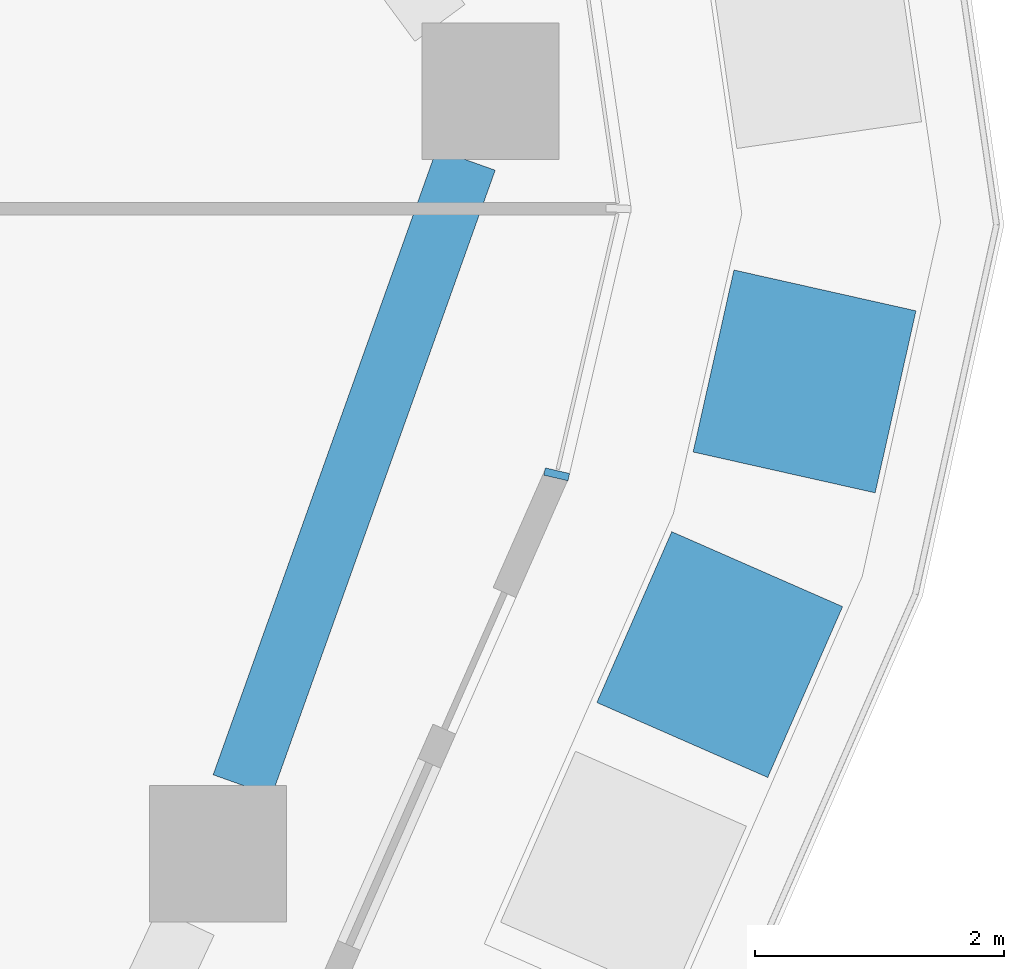
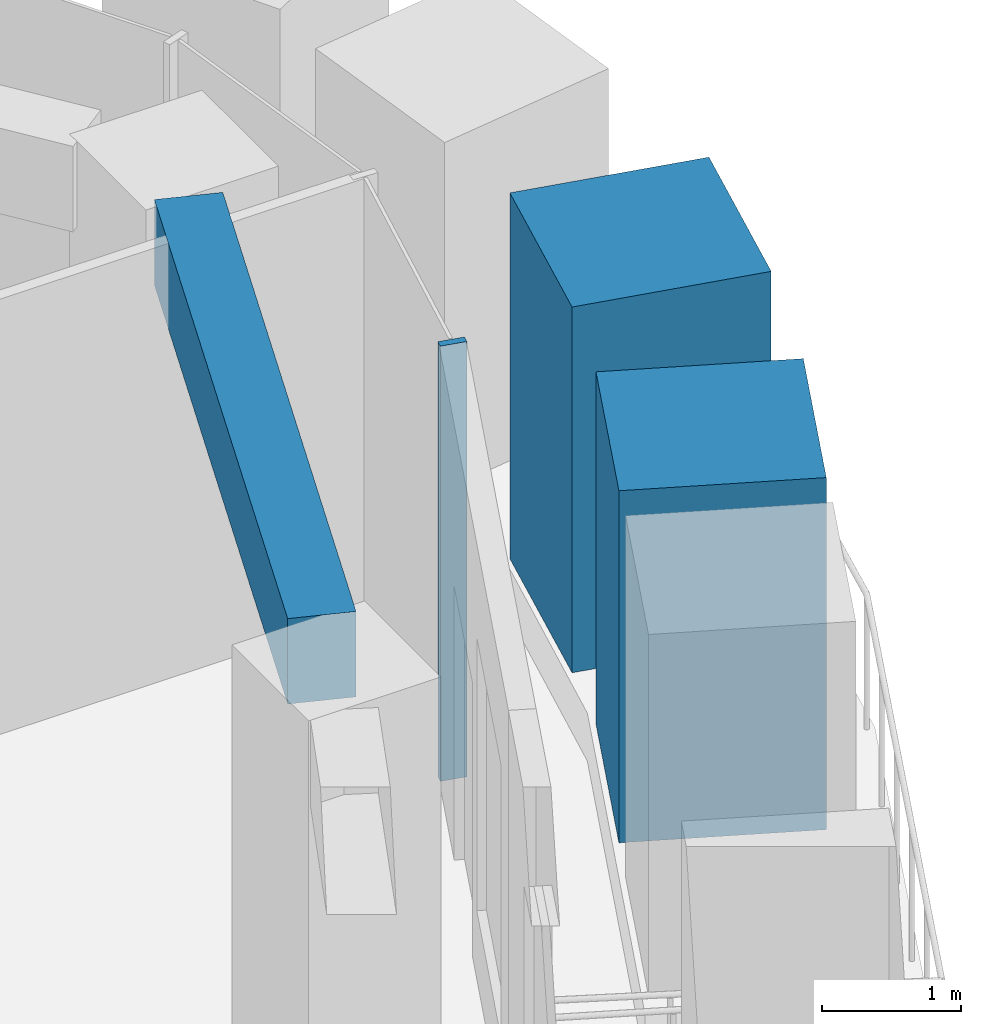
# One storey, part 6 of 21: 3 members, 1 beam, 1 element without a shape of its own.
"""IFC4 building model written with IfcOpenShell, lengths in metres."""

import ifcopenshell
import ifcopenshell.guid

model = None  # the IFC model being written
_history = None  # IfcOwnerHistory: only IFC2X3 demands one
_inside = {}  # id of a spatial element -> (the spatial element, [elements in it])
_under = {}  # id of a project, library or spatial element -> (it, [spatial elements below it])
_declared = {}  # id of a project -> (the project, [libraries it declares])
_typed = {}  # id of a type object -> (the type object, [elements of that type])
_made_of = {}  # id of a material, layer set ... -> (it, [elements and type objects made of it])


def new_model(schema):
    """Start an empty IFC model of exactly this schema.

    Asked for "IFC4X3", IfcOpenShell would pick the latest addendum, in which some entities
    have other attributes; the version numbers below select the first issue.
    IFC2X3 requires an IfcOwnerHistory on every rooted entity: one is made here for all.
    """
    global model, _history
    if schema == "IFC4X3":
        model = ifcopenshell.file(schema_version=(4, 3, 0, 0))
    else:
        model = ifcopenshell.file(schema=schema)
    _inside.clear()
    _under.clear()
    _declared.clear()
    _typed.clear()
    _made_of.clear()
    _history = None
    if model.schema == "IFC2X3":
        org = make("IfcOrganization", Name="unknown")
        user = make(
            "IfcPersonAndOrganization",
            ThePerson=make("IfcPerson", FamilyName="unknown"),
            TheOrganization=org,
        )
        app = make(
            "IfcApplication",
            ApplicationDeveloper=org,
            Version="unknown",
            ApplicationFullName="unknown",
            ApplicationIdentifier="unknown",
        )
        _history = make(
            "IfcOwnerHistory",
            OwningUser=user,
            OwningApplication=app,
            ChangeAction="ADDED",
            CreationDate=0,
        )
    return model


def make(cls, **values):
    """One entity of the class cls with the attributes given. An attribute that is None is left unset."""
    return model.create_entity(
        cls, **{name: value for name, value in values.items() if value is not None}
    )


def rooted(cls, **values):
    """An entity with a GlobalId (a new one), such as an element, a storey or a relation."""
    return make(cls, GlobalId=ifcopenshell.guid.new(), OwnerHistory=_history, **values)


def si_unit(unit_type, name, prefix=None):
    """IfcSIUnit, for example si_unit("LENGTHUNIT", "METRE", prefix="MILLI")."""
    return make("IfcSIUnit", UnitType=unit_type, Prefix=prefix, Name=name)


def assignment(units):
    """IfcUnitAssignment: the units of a project."""
    return None if units is None else make("IfcUnitAssignment", Units=units)


def point(xyz):
    """IfcCartesianPoint."""
    return None if xyz is None else make("IfcCartesianPoint", Coordinates=xyz)


def direction(xyz):
    """IfcDirection."""
    return None if xyz is None else make("IfcDirection", DirectionRatios=xyz)


def frame(location, z_axis=None, x_axis=None):
    """IfcAxis2Placement3D, a coordinate frame: its origin and axes. An axis left out is left unset."""
    return make(
        "IfcAxis2Placement3D",
        Location=point(location),
        Axis=direction(z_axis),
        RefDirection=direction(x_axis),
    )


def frame_2d(location, x_axis=None):
    """IfcAxis2Placement2D, a coordinate frame in the plane: its origin and x axis."""
    return make(
        "IfcAxis2Placement2D", Location=point(location), RefDirection=direction(x_axis)
    )


def origin():
    """The frame at (0, 0, 0) with its axes left unset."""
    return frame((0.0, 0.0, 0.0))


def origin_2d():
    """The frame at (0, 0) in the plane with its x axis left unset."""
    return frame_2d((0.0, 0.0))


def place(relative_to, where):
    """IfcLocalPlacement: puts the frame where relative to a parent placement (None: the world)."""
    return make(
        "IfcLocalPlacement", PlacementRelTo=relative_to, RelativePlacement=where
    )


def context(
    kind, dimensions, precision=None, world=None, true_north=None, identifier=None
):
    """IfcGeometricRepresentationContext, for example the 3D "Model" context."""
    return make(
        "IfcGeometricRepresentationContext",
        ContextIdentifier=identifier,
        ContextType=kind,
        CoordinateSpaceDimension=dimensions,
        Precision=precision,
        WorldCoordinateSystem=world,
        TrueNorth=true_north,
    )


def subcontext(parent, identifier, kind, view, scale=None):
    """IfcGeometricRepresentationSubContext, for example "Body" below "Model"."""
    return make(
        "IfcGeometricRepresentationSubContext",
        ContextIdentifier=identifier,
        ContextType=kind,
        ParentContext=parent,
        TargetScale=scale,
        TargetView=view,
    )


def project(units=None, contexts=None):
    """IfcProject with its units and contexts."""
    return rooted(
        "IfcProject",
        Name="project",
        RepresentationContexts=contexts,
        UnitsInContext=assignment(units),
    )


def spatial(cls, under=None, at=None, **own):
    """A site, building, storey or space (cls), placed at a placement, below another one or the project."""
    s = rooted(cls, ObjectPlacement=at, **own)
    if under is not None:
        _under.setdefault(under.id(), (under, []))[1].append(s)
    return s


def profile(cls, at=None, kind="AREA", **sizes):
    """A parametric profile (cls). Its sizes go by their IFC names, for example OverallWidth=200.0."""
    return make(cls, ProfileType=kind, Position=at, **sizes)


def rectangle(**sizes):
    """IfcRectangleProfileDef."""
    return profile("IfcRectangleProfileDef", **sizes)


def extrude(swept, where, along, depth):
    """IfcExtrudedAreaSolid: the profile swept, set in the frame where, extruded along a direction by depth."""
    return make(
        "IfcExtrudedAreaSolid",
        SweptArea=swept,
        Position=where,
        ExtrudedDirection=direction(along),
        Depth=depth,
    )


def shape(context_of_items, identifier, shape_type, items):
    """IfcShapeRepresentation: the items that make up one representation, for example the "Body"."""
    return make(
        "IfcShapeRepresentation",
        ContextOfItems=context_of_items,
        RepresentationIdentifier=identifier,
        RepresentationType=shape_type,
        Items=items,
    )


def material(Name=None, Category=None):
    """IfcMaterial."""
    return make("IfcMaterial", Name=Name, Category=Category)


def layer(
    of_material, thickness, ventilated=None, Name=None, Category=None, Priority=None
):
    """IfcMaterialLayer: one layer of a wall or slab, of a material (None: an air gap)."""
    return make(
        "IfcMaterialLayer",
        Material=of_material,
        LayerThickness=thickness,
        IsVentilated=ventilated,
        Name=Name,
        Category=Category,
        Priority=Priority,
    )


def layer_set(layers, Name=None):
    """IfcMaterialLayerSet."""
    return make("IfcMaterialLayerSet", MaterialLayers=layers, LayerSetName=Name)


def material_profile(
    of_material, cross_section, Name=None, Category=None, Priority=None
):
    """IfcMaterialProfile: a cross section and its material."""
    return make(
        "IfcMaterialProfile",
        Name=Name,
        Material=of_material,
        Profile=cross_section,
        Priority=Priority,
        Category=Category,
    )


def profile_set(profiles, Name=None, composite=None):
    """IfcMaterialProfileSet."""
    return make(
        "IfcMaterialProfileSet",
        Name=Name,
        MaterialProfiles=profiles,
        CompositeProfile=composite,
    )


def made_of(thing, what):
    """Note that an element or type object is made of a material, layer set ...; save() writes the relation."""
    if what is not None:
        _made_of.setdefault(what.id(), (what, []))[1].append(thing)
    return thing


def type_object(cls, material=None, **own):
    """A type object (cls), such as IfcWallType, which elements share."""
    return made_of(rooted(cls, **own), material)


def element(
    cls,
    number,
    at=None,
    inside=None,
    cuts=None,
    type_object=None,
    material=None,
    context=None,
    identifier="Body",
    shape_type=None,
    held_by="IfcProductDefinitionShape",
    body=None,
    shapes=None,
    **own,
):
    """One element of the class cls, such as IfcWall. Its Tag is "e" and its number.

    at: its placement. inside: the storey or other place that contains it. cuts: it is an
    opening in that element (IfcRelVoidsElement). A single representation is given by context,
    identifier, shape_type and body (its items); several are given by shapes. held_by: the class
    of the entity that holds the representations. save() writes the other relations.
    """
    e = rooted(cls, Tag="e%d" % number, ObjectPlacement=at, **own)
    if body is not None:
        shapes = [shape(context, identifier, shape_type, body)]
    if shapes is not None:
        e.Representation = make(held_by, Representations=shapes)
    if inside is not None:
        _inside.setdefault(inside.id(), (inside, []))[1].append(e)
    if cuts is not None:
        rooted(
            "IfcRelVoidsElement", RelatingBuildingElement=cuts, RelatedOpeningElement=e
        )
    if type_object is not None:
        _typed.setdefault(type_object.id(), (type_object, []))[1].append(e)
    return made_of(e, material)


def aggregate(whole, parts):
    """IfcRelAggregates: a whole, such as a stair, and the parts it consists of."""
    return rooted("IfcRelAggregates", RelatingObject=whole, RelatedObjects=parts)


def save(model, path):
    """Write the relations noted so far, then the file.

    IfcRelAggregates (storeys below a building ...), IfcRelContainedInSpatialStructure (elements
    in a storey), IfcRelDefinesByType, IfcRelAssociatesMaterial and IfcRelDeclares: one each for
    every whole, place, type object, material and project.
    """
    for whole, parts in _under.values():
        aggregate(whole, parts)
    for where, things in _inside.values():
        rooted(
            "IfcRelContainedInSpatialStructure",
            RelatedElements=things,
            RelatingStructure=where,
        )
    for kind, things in _typed.values():
        rooted("IfcRelDefinesByType", RelatedObjects=things, RelatingType=kind)
    for what, things in _made_of.values():
        rooted("IfcRelAssociatesMaterial", RelatedObjects=things, RelatingMaterial=what)
    for by, libraries in _declared.values():
        rooted("IfcRelDeclares", RelatingContext=by, RelatedDefinitions=libraries)
    model.write(path)


model = new_model("IFC4")

# Units and contexts
model_context = context("Model", 3, precision=1e-05, world=origin(), true_north=direction((0.0, 1.0)))
body_context = subcontext(model_context, "Body", "Model", "MODEL_VIEW")
ifc_project = project(units=[si_unit("LENGTHUNIT", "METRE"), si_unit("AREAUNIT", "SQUARE_METRE"), si_unit("VOLUMEUNIT", "CUBIC_METRE"), si_unit("PLANEANGLEUNIT", "RADIAN"), si_unit("MASSUNIT", "GRAM", prefix="KILO")], contexts=[model_context])

# Site, building, storey
site_placement = place(None, origin())
site = spatial("IfcSite", under=ifc_project, at=site_placement, CompositionType="ELEMENT")
building_placement = place(site_placement, origin())
building = spatial("IfcBuilding", under=site, at=building_placement, Name="Dongbaek Canopy Tower", CompositionType="ELEMENT")
storey_placement = place(building_placement, frame((0.0, 0.0, 270.60009765625)))
storey = spatial("IfcBuildingStorey", under=building, at=storey_placement, Name="L57", CompositionType="ELEMENT", Elevation=270.60009765625)

# Curtain wall, member
ifc_material_1 = material(Name="Aluminium 6063-T6 pale anodised", Category="aluminium")
ifc_layer = layer(ifc_material_1, 0.199951171875)
ifc_layer_set = layer_set([ifc_layer], Name="CW-1 unitised tower curtain wall")
curtain_wall_type = type_object("IfcCurtainWallType", Name="CW-1 unitised tower curtain wall", PredefinedType="NOTDEFINED", material=ifc_layer_set)
curtain_wall_placement = place(storey_placement, origin())
curtain_wall = element("IfcCurtainWall", 1, at=curtain_wall_placement, inside=storey, type_object=curtain_wall_type, Name="CW-1 curtain wall K0.1", PredefinedType="NOTDEFINED")
ifc_material_2 = material(Name="Aluminium 6063-T6 pale anodised", Category="aluminium")
ifc_material_profile_1 = material_profile(ifc_material_2, rectangle(XDim=0.199951171875, YDim=0.06005859375, at=origin_2d()), Name="CW-1 mullion 60 x 200")
ifc_profile_set_1 = profile_set([ifc_material_profile_1], Name="Aluminium 6063-T6 pale anodised")
member_type_1 = type_object("IfcMemberType", Name="CW-1 mullion 60 x 200", PredefinedType="MULLION", material=ifc_profile_set_1)
member_1_placement = place(storey_placement, frame((28.02490234375, 2.897705078125, 0.0), z_axis=(0.0, 0.0, 1.0), x_axis=(0.973926758053, -0.226862667596, 0.0)))
member_1 = element("IfcMember", 2, at=member_1_placement, type_object=member_type_1, Name="CW-1 mullion K0.1.1", PredefinedType="MULLION", context=body_context, shape_type="SweptSolid", body=[
    extrude(rectangle(XDim=0.199951171875, YDim=0.06005859375, at=origin_2d()), origin(), (0.0, 0.0, 1.0), 3.81982421875),
])
aggregate(curtain_wall, [member_1])

# Beam
ifc_material_3 = material(Name="Concrete C70", Category="concrete")
ifc_material_profile_2 = material_profile(ifc_material_3, rectangle(XDim=0.5, YDim=0.75, at=origin_2d()), Name="RC EDGE BEAM 500x750 C70")
ifc_profile_set_2 = profile_set([ifc_material_profile_2], Name="Concrete C70")
beam_type = type_object("IfcBeamType", Name="RC EDGE BEAM 500x750 C70", PredefinedType="BEAM", material=ifc_profile_set_2)
beam_placement = place(storey_placement, frame((27.29541015625, 5.427001953125, 3.44482421875), z_axis=(-0.336466714227, -0.94169535956, 0.0), x_axis=(0.94169535956, -0.336466714227, 0.0)))
element("IfcBeam", 3, at=beam_placement, inside=storey, type_object=beam_type, Name="EDGEBEAM:L57:21", PredefinedType="BEAM", context=body_context, shape_type="SweptSolid", body=[
    extrude(rectangle(XDim=0.5, YDim=0.75, at=origin_2d()), origin(), (0.0, 0.0, 1.0), 5.34033203125),
])

# Members
ifc_material_4 = material(Name="Concrete C40/50 planter mass with planting", Category="concrete")
ifc_material_profile_3 = material_profile(ifc_material_4, rectangle(XDim=1.5, YDim=1.5, at=origin_2d()), Name="Terrace PLANTER shrub mass 1500 x 1500")
ifc_profile_set_3 = profile_set([ifc_material_profile_3], Name="Concrete C40/50 planter mass with planting")
member_type_2 = type_object("IfcMemberType", Name="Terrace PLANTER shrub mass 1500 x 1500", PredefinedType="USERDEFINED", material=ifc_profile_set_3)
member_2_placement = place(storey_placement, frame((29.336181640625, 1.448486328125, 0.419921875), z_axis=(0.0, 0.0, 1.0), x_axis=(0.915837500878, -0.40154909038, 0.0)))
element("IfcMember", 4, at=member_2_placement, inside=storey, type_object=member_type_2, Name="Planter shrubs L57 4.2", ObjectType="PLANTER", PredefinedType="USERDEFINED", context=body_context, shape_type="SweptSolid", body=[
    extrude(rectangle(XDim=1.5, YDim=1.5, at=origin_2d()), origin(), (0.0, 0.0, 1.0), 3.090087890625),
])
member_3_placement = place(storey_placement, frame((30.01806640625, 3.644775390625, 0.419921875), z_axis=(0.0, 0.0, 1.0), x_axis=(0.975740328168, -0.218931066744, 0.0)))
element("IfcMember", 5, at=member_3_placement, inside=storey, type_object=member_type_2, Name="Planter shrubs L57 4.3", ObjectType="PLANTER", PredefinedType="USERDEFINED", context=body_context, shape_type="SweptSolid", body=[
    extrude(rectangle(XDim=1.5, YDim=1.5, at=origin_2d()), origin(), (0.0, 0.0, 1.0), 3.2099609375),
])

save(model, "model.ifc")
